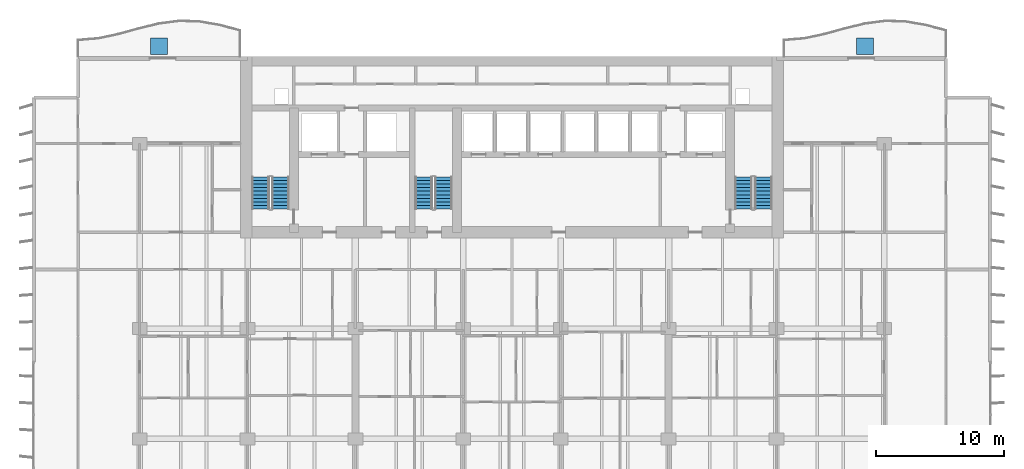
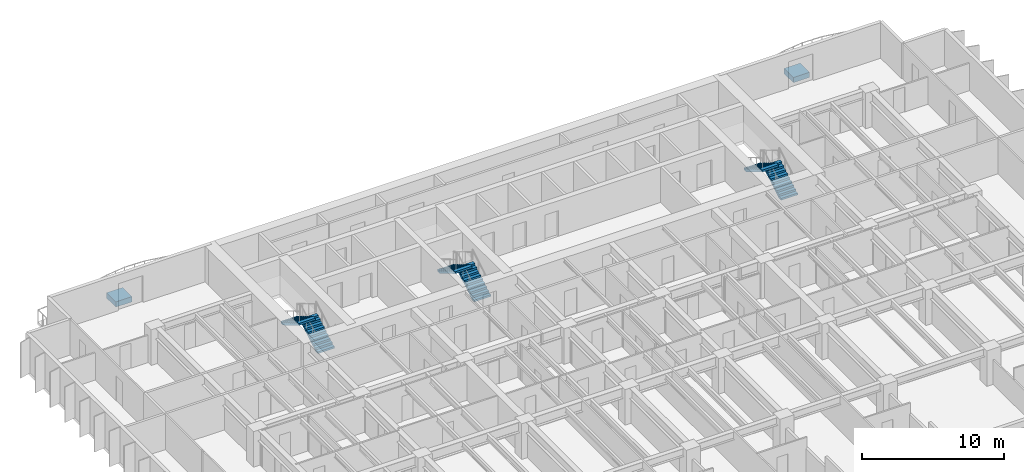
# One storey, part 14 of 18: 6 stair flights, 2 discrete accessories, 3 elements without a shape of their own.
"""IFC4 building model written with IfcOpenShell, lengths in metres."""

from ifc_helpers import new_model, si_unit, direction, frame, origin, origin_2d, place, context, subcontext, project, spatial, polyline, rectangle, outline, extrude, material, type_object, element, aggregate, save


model = new_model("IFC4")

# Units and contexts
model_context = context("Model", 3, precision=1e-05, world=origin(), true_north=direction((0.0, 1.0)))
body_context = subcontext(model_context, "Body", "Model", "MODEL_VIEW")
ifc_project = project(units=[si_unit("LENGTHUNIT", "METRE"), si_unit("AREAUNIT", "SQUARE_METRE"), si_unit("VOLUMEUNIT", "CUBIC_METRE"), si_unit("PLANEANGLEUNIT", "RADIAN"), si_unit("MASSUNIT", "GRAM", prefix="KILO")], contexts=[model_context])

# Site, building, storey
site_placement = place(None, origin())
site = spatial("IfcSite", under=ifc_project, at=site_placement, CompositionType="ELEMENT")
building_placement = place(site_placement, origin())
building = spatial("IfcBuilding", under=site, at=building_placement, Name="Caelmar Bay Residences", CompositionType="ELEMENT")
storey_placement = place(building_placement, frame((0.0, 0.0, 46.5)))
storey = spatial("IfcBuildingStorey", under=building, at=storey_placement, Name="L11", CompositionType="ELEMENT", Elevation=46.5)

# Stair, stair flights
ifc_material_1 = material(Name="Concrete f'c 40 MPa (6,000 psi)", Category="concrete")
stair_type = type_object("IfcStairType", Name="ST-TYP-165", PredefinedType="HALF_TURN_STAIR", material=ifc_material_1)
stair_1_placement = place(storey_placement, origin())
stair_1 = element("IfcStair", 1, at=stair_1_placement, inside=storey, type_object=stair_type, Name="L11 West Smokeproof Exit Stair ST1", PredefinedType="HALF_TURN_STAIR")
stair_flight_type = type_object("IfcStairFlightType", Name="STF-1350", PredefinedType="STRAIGHT", material=ifc_material_1)
stair_flight_1_placement = place(storey_placement, frame((20.875, 38.699951171875, 0.0), z_axis=(0.0, 0.0, 1.0), x_axis=(0.0, 1.0, 0.0)))
stair_flight_1 = element("IfcStairFlight", 2, at=stair_flight_1_placement, type_object=stair_flight_type, Name="ST1 flight 1", NumberOfRisers=10, NumberOfTreads=9, PredefinedType="STRAIGHT", RiserHeight=0.165, TreadLength=0.28, context=body_context, shape_type="SweptSolid", body=[
    extrude(outline(polyline([(0.0, 0.0), (0.0, 0.1650390625), (0.280029296875, 0.1650390625), (0.280029296875, 0.330078125), (0.56005859375, 0.330078125), (0.56005859375, 0.4951171875), (0.840087890625, 0.4951171875), (0.840087890625, 0.659912109375), (1.1201171875, 0.659912109375), (1.1201171875, 0.824951171875), (1.39990234375, 0.824951171875), (1.39990234375, 0.989990234375), (1.679931640625, 0.989990234375), (1.679931640625, 1.155029296875), (1.9599609375, 1.155029296875), (1.9599609375, 1.320068359375), (2.239990234375, 1.320068359375), (2.239990234375, 1.485107421875), (2.52001953125, 1.485107421875), (2.52001953125, 1.64990234375), (2.52001953125, 1.31103515625), (0.295166015625, 0.0), (0.0, 0.0)])), frame((0.0, 0.675048828125, 0.0), z_axis=(0.0, -1.0, 0.0), x_axis=(1.0, 0.0, 0.0)), (0.0, 0.0, 1.0), 1.35009765625),
])
stair_flight_2_placement = place(storey_placement, frame((19.324951171875, 41.219970703125, 1.64990234375), z_axis=(0.0, 0.0, 1.0), x_axis=(0.0, -1.0, 0.0)))
stair_flight_2 = element("IfcStairFlight", 3, at=stair_flight_2_placement, type_object=stair_flight_type, Name="ST1 flight 2", NumberOfRisers=10, NumberOfTreads=9, PredefinedType="STRAIGHT", RiserHeight=0.165, TreadLength=0.28, context=body_context, shape_type="SweptSolid", body=[
    extrude(outline(polyline([(0.0, 0.0), (0.0, 0.1650390625), (0.280029296875, 0.1650390625), (0.280029296875, 0.330078125), (0.56005859375, 0.330078125), (0.56005859375, 0.4951171875), (0.840087890625, 0.4951171875), (0.840087890625, 0.659912109375), (1.1201171875, 0.659912109375), (1.1201171875, 0.824951171875), (1.39990234375, 0.824951171875), (1.39990234375, 0.989990234375), (1.679931640625, 0.989990234375), (1.679931640625, 1.155029296875), (1.9599609375, 1.155029296875), (1.9599609375, 1.320068359375), (2.239990234375, 1.320068359375), (2.239990234375, 1.485107421875), (2.52001953125, 1.485107421875), (2.52001953125, 1.64990234375), (2.52001953125, 1.31103515625), (0.295166015625, 0.0), (0.0, 0.0)])), frame((0.0, 0.675048828125, 0.0), z_axis=(0.0, -1.0, 0.0), x_axis=(1.0, 0.0, 0.0)), (0.0, 0.0, 1.0), 1.35009765625),
])
aggregate(stair_1, [stair_flight_1, stair_flight_2])

stair_2_placement = place(storey_placement, origin())
stair_2 = element("IfcStair", 4, at=stair_2_placement, inside=storey, type_object=stair_type, Name="L11 East Smokeproof Exit Stair ST2", PredefinedType="HALF_TURN_STAIR")
stair_flight_3_placement = place(storey_placement, frame((58.47509765625, 38.699951171875, 0.0), z_axis=(0.0, 0.0, 1.0), x_axis=(0.0, 1.0, 0.0)))
stair_flight_3 = element("IfcStairFlight", 5, at=stair_flight_3_placement, type_object=stair_flight_type, Name="ST2 flight 1", NumberOfRisers=10, NumberOfTreads=9, PredefinedType="STRAIGHT", RiserHeight=0.165, TreadLength=0.28, context=body_context, shape_type="SweptSolid", body=[
    extrude(outline(polyline([(0.0, 0.0), (0.0, 0.1650390625), (0.280029296875, 0.1650390625), (0.280029296875, 0.330078125), (0.56005859375, 0.330078125), (0.56005859375, 0.4951171875), (0.840087890625, 0.4951171875), (0.840087890625, 0.659912109375), (1.1201171875, 0.659912109375), (1.1201171875, 0.824951171875), (1.39990234375, 0.824951171875), (1.39990234375, 0.989990234375), (1.679931640625, 0.989990234375), (1.679931640625, 1.155029296875), (1.9599609375, 1.155029296875), (1.9599609375, 1.320068359375), (2.239990234375, 1.320068359375), (2.239990234375, 1.485107421875), (2.52001953125, 1.485107421875), (2.52001953125, 1.64990234375), (2.52001953125, 1.31103515625), (0.295166015625, 0.0), (0.0, 0.0)])), frame((0.0, 0.675048828125, 0.0), z_axis=(0.0, -1.0, 0.0), x_axis=(1.0, 0.0, 0.0)), (0.0, 0.0, 1.0), 1.35009765625),
])
stair_flight_4_placement = place(storey_placement, frame((56.925048828125, 41.219970703125, 1.64990234375), z_axis=(0.0, 0.0, 1.0), x_axis=(0.0, -1.0, 0.0)))
stair_flight_4 = element("IfcStairFlight", 6, at=stair_flight_4_placement, type_object=stair_flight_type, Name="ST2 flight 2", NumberOfRisers=10, NumberOfTreads=9, PredefinedType="STRAIGHT", RiserHeight=0.165, TreadLength=0.28, context=body_context, shape_type="SweptSolid", body=[
    extrude(outline(polyline([(0.0, 0.0), (0.0, 0.1650390625), (0.280029296875, 0.1650390625), (0.280029296875, 0.330078125), (0.56005859375, 0.330078125), (0.56005859375, 0.4951171875), (0.840087890625, 0.4951171875), (0.840087890625, 0.659912109375), (1.1201171875, 0.659912109375), (1.1201171875, 0.824951171875), (1.39990234375, 0.824951171875), (1.39990234375, 0.989990234375), (1.679931640625, 0.989990234375), (1.679931640625, 1.155029296875), (1.9599609375, 1.155029296875), (1.9599609375, 1.320068359375), (2.239990234375, 1.320068359375), (2.239990234375, 1.485107421875), (2.52001953125, 1.485107421875), (2.52001953125, 1.64990234375), (2.52001953125, 1.31103515625), (0.295166015625, 0.0), (0.0, 0.0)])), frame((0.0, 0.675048828125, 0.0), z_axis=(0.0, -1.0, 0.0), x_axis=(1.0, 0.0, 0.0)), (0.0, 0.0, 1.0), 1.35009765625),
])
aggregate(stair_2, [stair_flight_3, stair_flight_4])

stair_3_placement = place(storey_placement, origin())
stair_3 = element("IfcStair", 7, at=stair_3_placement, inside=storey, type_object=stair_type, Name="L11 Central Smokeproof Exit Stair ST3", PredefinedType="HALF_TURN_STAIR")
stair_flight_5_placement = place(storey_placement, frame((33.574951171875, 38.699951171875, 0.0), z_axis=(0.0, 0.0, 1.0), x_axis=(0.0, 1.0, 0.0)))
stair_flight_5 = element("IfcStairFlight", 8, at=stair_flight_5_placement, type_object=stair_flight_type, Name="ST3 flight 1", NumberOfRisers=10, NumberOfTreads=9, PredefinedType="STRAIGHT", RiserHeight=0.165, TreadLength=0.28, context=body_context, shape_type="SweptSolid", body=[
    extrude(outline(polyline([(0.0, 0.0), (0.0, 0.1650390625), (0.280029296875, 0.1650390625), (0.280029296875, 0.330078125), (0.56005859375, 0.330078125), (0.56005859375, 0.4951171875), (0.840087890625, 0.4951171875), (0.840087890625, 0.659912109375), (1.1201171875, 0.659912109375), (1.1201171875, 0.824951171875), (1.39990234375, 0.824951171875), (1.39990234375, 0.989990234375), (1.679931640625, 0.989990234375), (1.679931640625, 1.155029296875), (1.9599609375, 1.155029296875), (1.9599609375, 1.320068359375), (2.239990234375, 1.320068359375), (2.239990234375, 1.485107421875), (2.52001953125, 1.485107421875), (2.52001953125, 1.64990234375), (2.52001953125, 1.31103515625), (0.295166015625, 0.0), (0.0, 0.0)])), frame((0.0, 0.675048828125, 0.0), z_axis=(0.0, -1.0, 0.0), x_axis=(1.0, 0.0, 0.0)), (0.0, 0.0, 1.0), 1.35009765625),
])
stair_flight_6_placement = place(storey_placement, frame((32.02490234375, 41.219970703125, 1.64990234375), z_axis=(0.0, 0.0, 1.0), x_axis=(0.0, -1.0, 0.0)))
stair_flight_6 = element("IfcStairFlight", 9, at=stair_flight_6_placement, type_object=stair_flight_type, Name="ST3 flight 2", NumberOfRisers=10, NumberOfTreads=9, PredefinedType="STRAIGHT", RiserHeight=0.165, TreadLength=0.28, context=body_context, shape_type="SweptSolid", body=[
    extrude(outline(polyline([(0.0, 0.0), (0.0, 0.1650390625), (0.280029296875, 0.1650390625), (0.280029296875, 0.330078125), (0.56005859375, 0.330078125), (0.56005859375, 0.4951171875), (0.840087890625, 0.4951171875), (0.840087890625, 0.659912109375), (1.1201171875, 0.659912109375), (1.1201171875, 0.824951171875), (1.39990234375, 0.824951171875), (1.39990234375, 0.989990234375), (1.679931640625, 0.989990234375), (1.679931640625, 1.155029296875), (1.9599609375, 1.155029296875), (1.9599609375, 1.320068359375), (2.239990234375, 1.320068359375), (2.239990234375, 1.485107421875), (2.52001953125, 1.485107421875), (2.52001953125, 1.64990234375), (2.52001953125, 1.31103515625), (0.295166015625, 0.0), (0.0, 0.0)])), frame((0.0, 0.675048828125, 0.0), z_axis=(0.0, -1.0, 0.0), x_axis=(1.0, 0.0, 0.0)), (0.0, 0.0, 1.0), 1.35009765625),
])
aggregate(stair_3, [stair_flight_5, stair_flight_6])

# Discrete accessories
ifc_material_2 = material(Name="Precast concrete f'c 40 MPa (6,000 psi)", Category="concrete")
discrete_accessory_type = type_object("IfcDiscreteAccessoryType", Name="STR-PLANTER-KERB-450", PredefinedType="USERDEFINED", material=ifc_material_2)
for number, where, z_axis, x_axis, name in (
    (10, (11.39990234375, 51.39990234375, 0.0), (0.0, 0.0, 1.0), (1.0, 0.0, 0.0), "L11 north_west Structural Tree Planter Kerb"),
    (11, (66.39990234375, 51.39990234375, 0.0), (0.0, 0.0, 1.0), (1.0, 0.0, 0.0), "L11 north_east Structural Tree Planter Kerb"),
):
    element("IfcDiscreteAccessory", number, at=place(storey_placement, frame(where, z_axis=z_axis, x_axis=x_axis)), inside=storey, type_object=discrete_accessory_type, Name=name, ObjectType="PLANTER", PredefinedType="USERDEFINED", context=body_context, shape_type="SweptSolid", body=[
        extrude(rectangle(XDim=1.300048828125, YDim=1.300048828125, at=origin_2d()), origin(), (0.0, 0.0, 1.0), 0.449951171875),
    ])

save(model, "model.ifc")
